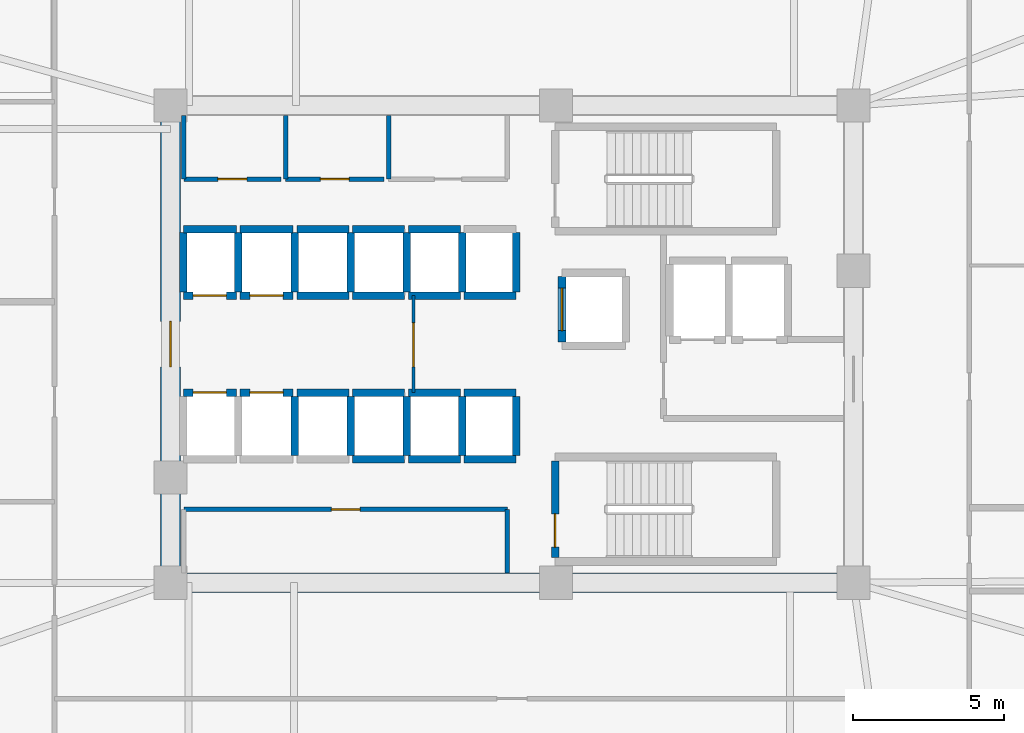
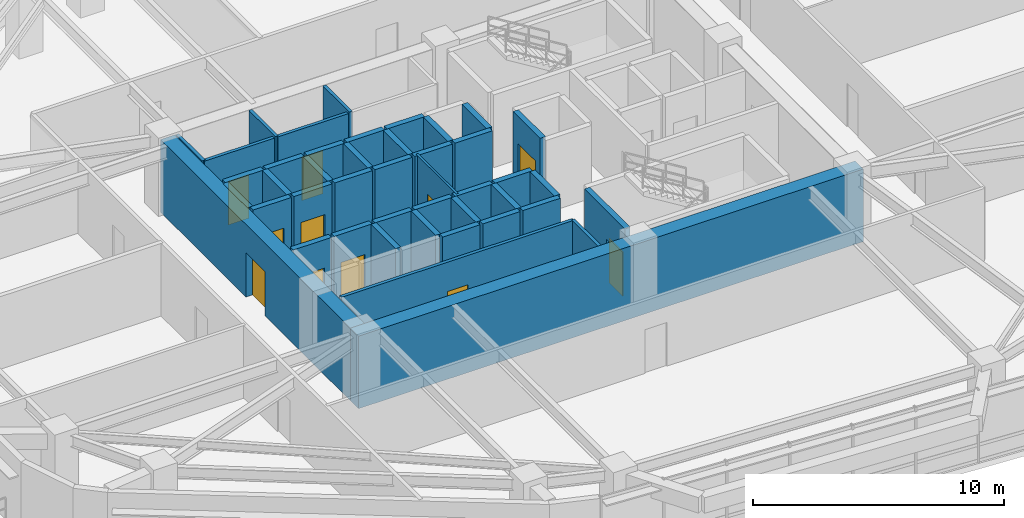
# One storey, part 7 of 12: 44 walls, 11 doors, 11 openings.
"""IFC4 building model written with IfcOpenShell, lengths in metres."""

from ifc_helpers import new_model, si_unit, direction, frame, frame_2d, origin, place, context, subcontext, project, spatial, rectangle, extrude, material, layer, layer_set, type_object, element, fill, save


model = new_model("IFC4")

# Units and contexts
model_context = context("Model", 3, precision=1e-05, world=origin(), true_north=direction((0.0, 1.0)))
body_context = subcontext(model_context, "Body", "Model", "MODEL_VIEW")
ifc_project = project(units=[si_unit("LENGTHUNIT", "METRE"), si_unit("AREAUNIT", "SQUARE_METRE"), si_unit("VOLUMEUNIT", "CUBIC_METRE"), si_unit("PLANEANGLEUNIT", "RADIAN"), si_unit("MASSUNIT", "GRAM", prefix="KILO")], contexts=[model_context])

# Site, building, storey
site_placement = place(None, origin())
site = spatial("IfcSite", under=ifc_project, at=site_placement, CompositionType="ELEMENT")
building_placement = place(site_placement, origin())
building = spatial("IfcBuilding", under=site, at=building_placement, Name="Zulverin Broadcast Headquarters", CompositionType="ELEMENT")
storey_placement = place(building_placement, frame((0.0, 0.0, 93.39990234375)))
storey = spatial("IfcBuildingStorey", under=building, at=storey_placement, Name="L23", CompositionType="ELEMENT", Elevation=93.39990234375)

# Wall
ifc_material_1 = material(Name="Concrete C60/75", Category="concrete")
ifc_layer_1 = layer(ifc_material_1, 0.64990234375, Name="Concrete C60/75", Category="concrete")
ifc_layer_set_1 = layer_set([ifc_layer_1], Name="Concrete C60/75")
wall_type_1 = type_object("IfcWallType", Name="WL-CORE-650", PredefinedType="SHEAR", material=ifc_layer_set_1)
wall_1_placement = place(storey_placement, frame((25.39990234375, 17.324951171875, 0.0), z_axis=(0.0, 0.0, 1.0), x_axis=(1.0, 0.0, 0.0)))
element("IfcWall", 1, at=wall_1_placement, inside=storey, type_object=wall_type_1, Name="L23 Core South Shear Wall", PredefinedType="SHEAR", context=body_context, shape_type="SweptSolid", body=[
    extrude(rectangle(XDim=23.2001953125, YDim=0.64990234375, at=frame_2d((11.60009765625, 0.0))), origin(), (0.0, 0.0, 1.0), 3.525146484375),
])

# Wall, opening, door
wall_2_placement = place(storey_placement, frame((25.72509765625, 17.64990234375, 0.0), z_axis=(0.0, 0.0, 1.0), x_axis=(0.0, 1.0, 0.0)))
wall_2 = element("IfcWall", 2, at=wall_2_placement, inside=storey, type_object=wall_type_1, Name="L23 Core West Shear Wall", PredefinedType="SHEAR", context=body_context, shape_type="SweptSolid", body=[
    extrude(rectangle(XDim=15.10009765625, YDim=0.64990234375, at=frame_2d((7.550048828125, 0.0))), origin(), (0.0, 0.0, 1.0), 3.525146484375),
])
opening_1_placement = place(wall_2_placement, frame((6.800048828125, 0.0, 0.0)))
opening_1 = element("IfcOpeningElement", 3, at=opening_1_placement, cuts=wall_2, Name="Opening D-L23-CW1", PredefinedType="OPENING", context=body_context, shape_type="SweptSolid", body=[
    extrude(rectangle(XDim=1.5, YDim=2.14990234375, at=frame_2d((0.75, 1.074951171875))), frame((0.0, 0.3349609375, 0.0), z_axis=(0.0, -1.0, 0.0), x_axis=(1.0, 0.0, 0.0)), (0.0, 0.0, 1.0), 0.669921875),
])
ifc_material_2 = material(Name="Fire-rated glazed steel frame", Category="steel")
door_type_1 = type_object("IfcDoorType", Name="DR-COR-1500", OperationType="DOUBLE_DOOR_SINGLE_SWING", PredefinedType="DOOR", material=ifc_material_2)
door_1_placement = place(opening_1_placement, origin())
door_1 = element("IfcDoor", 4, at=door_1_placement, inside=storey, type_object=door_type_1, Name="L23 Central Lift Lobby West Portal Door", OperationType="DOUBLE_DOOR_SINGLE_SWING", OverallHeight=2.14990234375, OverallWidth=1.5, PredefinedType="DOOR", context=body_context, shape_type="SweptSolid", body=[
    extrude(rectangle(XDim=1.5, YDim=2.14990234375, at=frame_2d((0.75, 1.074951171875))), frame((0.0, 0.02490234375, 0.0), z_axis=(0.0, -1.0, 0.0), x_axis=(1.0, 0.0, 0.0)), (0.0, 0.0, 1.0), 0.050048828125),
])
fill(opening_1, door_1)

ifc_material_3 = material(Name="Fire-rated acoustic laminated glass screen", Category="glass")
ifc_layer_2 = layer(ifc_material_3, 0.10009765625, Name="Fire-rated acoustic laminated glass screen", Category="glass")
ifc_layer_set_2 = layer_set([ifc_layer_2], Name="Fire-rated acoustic laminated glass screen")
wall_type_2 = type_object("IfcWallType", Name="WL-GLAZ-100", PredefinedType="PARTITIONING", material=ifc_layer_set_2)
wall_3_placement = place(storey_placement, frame((33.75, 23.60009765625, 0.0), z_axis=(0.0, 0.0, 1.0), x_axis=(0.0, 1.0, 0.0)))
wall_3 = element("IfcWall", 5, at=wall_3_placement, inside=storey, type_object=wall_type_2, Name="L23 Core Lobby Acoustic Screen", PredefinedType="PARTITIONING", context=body_context, shape_type="SweptSolid", body=[
    extrude(rectangle(XDim=3.199951171875, YDim=0.10009765625, at=frame_2d((1.60009765625, 0.0))), origin(), (0.0, 0.0, 1.0), 3.525146484375),
])
opening_2_placement = place(wall_3_placement, frame((0.85009765625, 0.0, 0.0)))
opening_2 = element("IfcOpeningElement", 6, at=opening_2_placement, cuts=wall_3, Name="Opening D-L23-CL1", PredefinedType="OPENING", context=body_context, shape_type="SweptSolid", body=[
    extrude(rectangle(XDim=1.449951171875, YDim=2.1201171875, at=frame_2d((0.72509765625, 1.06005859375))), frame((0.0, 0.06005859375, 0.0), z_axis=(0.0, -1.0, 0.0), x_axis=(1.0, 0.0, 0.0)), (0.0, 0.0, 1.0), 0.1201171875),
])
ifc_material_4 = material(Name="Fire-rated acoustic glazed double leaf", Category="glass")
door_type_2 = type_object("IfcDoorType", Name="DR-GLZ-1450", OperationType="DOUBLE_DOOR_SINGLE_SWING", PredefinedType="DOOR", material=ifc_material_4)
door_2_placement = place(opening_2_placement, origin())
door_2 = element("IfcDoor", 7, at=door_2_placement, inside=storey, type_object=door_type_2, Name="L23 Core Lobby Vestibule Door", OperationType="DOUBLE_DOOR_SINGLE_SWING", OverallHeight=2.1201171875, OverallWidth=1.449951171875, PredefinedType="DOOR", context=body_context, shape_type="SweptSolid", body=[
    extrude(rectangle(XDim=1.449951171875, YDim=2.1201171875, at=frame_2d((0.72509765625, 1.06005859375))), frame((0.0, 0.02490234375, 0.0), z_axis=(0.0, -1.0, 0.0), x_axis=(1.0, 0.0, 0.0)), (0.0, 0.0, 1.0), 0.050048828125),
])
fill(opening_2, door_2)

ifc_material_5 = material(Name="Fire-rated gypsum stud partition", Category="gypsum")
ifc_layer_3 = layer(ifc_material_5, 0.14990234375, Name="Fire-rated gypsum stud partition", Category="gypsum")
ifc_layer_set_3 = layer_set([ifc_layer_3], Name="Fire-rated gypsum stud partition")
wall_type_3 = type_object("IfcWallType", Name="WL-PART-150", PredefinedType="PARTITIONING", material=ifc_layer_set_3)
wall_4_placement = place(storey_placement, frame((26.169921875, 30.64990234375, 0.0), z_axis=(0.0, 0.0, 1.0), x_axis=(1.0, 0.0, 0.0)))
wall_4 = element("IfcWall", 8, at=wall_4_placement, inside=storey, type_object=wall_type_3, Name="L23 Core Accessible WC Front Wall", PredefinedType="PARTITIONING", context=body_context, shape_type="SweptSolid", body=[
    extrude(rectangle(XDim=3.2001953125, YDim=0.14990234375, at=frame_2d((1.60009765625, 0.0))), origin(), (0.0, 0.0, 1.0), 3.525146484375),
])
opening_3_placement = place(wall_4_placement, frame((1.125, 0.0, 0.0)))
opening_3 = element("IfcOpeningElement", 9, at=opening_3_placement, cuts=wall_4, Name="Opening D-L23-NC1", PredefinedType="OPENING", context=body_context, shape_type="SweptSolid", body=[
    extrude(rectangle(XDim=0.949951171875, YDim=2.10009765625, at=frame_2d((0.47509765625, 1.050048828125))), frame((0.0, 0.0849609375, 0.0), z_axis=(0.0, -1.0, 0.0), x_axis=(1.0, 0.0, 0.0)), (0.0, 0.0, 1.0), 0.169921875),
])
ifc_material_6 = material(Name="Fire-rated moisture-resistant laminate leaf", Category="wood")
door_type_3 = type_object("IfcDoorType", Name="DR-WC-950", OperationType="SINGLE_SWING_LEFT", PredefinedType="DOOR", material=ifc_material_6)
door_3_placement = place(opening_3_placement, origin())
door_3 = element("IfcDoor", 10, at=door_3_placement, inside=storey, type_object=door_type_3, Name="L23 Accessible WC Door", OperationType="SINGLE_SWING_LEFT", OverallHeight=2.10009765625, OverallWidth=0.949951171875, PredefinedType="DOOR", context=body_context, shape_type="SweptSolid", body=[
    extrude(rectangle(XDim=0.949951171875, YDim=2.10009765625, at=frame_2d((0.47509765625, 1.050048828125))), frame((0.0, 0.02490234375, 0.0), z_axis=(0.0, -1.0, 0.0), x_axis=(1.0, 0.0, 0.0)), (0.0, 0.0, 1.0), 0.050048828125),
])
fill(opening_3, door_3)

# Wall
wall_5_placement = place(storey_placement, frame((26.169921875, 30.64990234375, 0.0), z_axis=(0.0, 0.0, 1.0), x_axis=(0.0, 1.0, 0.0)))
element("IfcWall", 11, at=wall_5_placement, inside=storey, type_object=wall_type_3, Name="L23 Core Accessible WC West Wall", PredefinedType="PARTITIONING", context=body_context, shape_type="SweptSolid", body=[
    extrude(rectangle(XDim=2.10009765625, YDim=0.14990234375, at=frame_2d((1.050048828125, 0.0))), origin(), (0.0, 0.0, 1.0), 3.525146484375),
])

# Wall, opening, door
wall_6_placement = place(storey_placement, frame((29.530029296875, 30.64990234375, 0.0), z_axis=(0.0, 0.0, 1.0), x_axis=(1.0, 0.0, 0.0)))
wall_6 = element("IfcWall", 12, at=wall_6_placement, inside=storey, type_object=wall_type_3, Name="L23 Core Male WC Front Wall", PredefinedType="PARTITIONING", context=body_context, shape_type="SweptSolid", body=[
    extrude(rectangle(XDim=3.239990234375, YDim=0.14990234375, at=frame_2d((1.6201171875, 0.0))), origin(), (0.0, 0.0, 1.0), 3.525146484375),
])
opening_4_placement = place(wall_6_placement, frame((1.14501953125, 0.0, 0.0)))
opening_4 = element("IfcOpeningElement", 13, at=opening_4_placement, cuts=wall_6, Name="Opening D-L23-NC2", PredefinedType="OPENING", context=body_context, shape_type="SweptSolid", body=[
    extrude(rectangle(XDim=0.949951171875, YDim=2.10009765625, at=frame_2d((0.47509765625, 1.050048828125))), frame((0.0, 0.0849609375, 0.0), z_axis=(0.0, -1.0, 0.0), x_axis=(1.0, 0.0, 0.0)), (0.0, 0.0, 1.0), 0.169921875),
])
door_4_placement = place(opening_4_placement, origin())
door_4 = element("IfcDoor", 14, at=door_4_placement, inside=storey, type_object=door_type_3, Name="L23 Male WC Door", OperationType="SINGLE_SWING_RIGHT", OverallHeight=2.10009765625, OverallWidth=0.949951171875, PredefinedType="DOOR", context=body_context, shape_type="SweptSolid", body=[
    extrude(rectangle(XDim=0.949951171875, YDim=2.10009765625, at=frame_2d((0.47509765625, 1.050048828125))), frame((0.0, 0.02490234375, 0.0), z_axis=(0.0, -1.0, 0.0), x_axis=(1.0, 0.0, 0.0)), (0.0, 0.0, 1.0), 0.050048828125),
])
fill(opening_4, door_4)

# Walls
for number, where, z_axis, x_axis, name in (
    (15, (29.530029296875, 30.64990234375, 0.0), (0.0, 0.0, 1.0), (0.0, 1.0, 0.0), "L23 Core Male WC West Wall"),
    (16, (32.929931640625, 30.64990234375, 0.0), (0.0, 0.0, 1.0), (0.0, 1.0, 0.0), "L23 Core Electrical Switch Riser West Wall"),
):
    element("IfcWall", number, at=place(storey_placement, frame(where, z_axis=z_axis, x_axis=x_axis)), inside=storey, type_object=wall_type_3, Name=name, PredefinedType="PARTITIONING", context=body_context, shape_type="SweptSolid", body=[
        extrude(rectangle(XDim=2.10009765625, YDim=0.14990234375, at=frame_2d((1.050048828125, 0.0))), origin(), (0.0, 0.0, 1.0), 3.525146484375),
    ])

# Wall, opening, door
wall_7_placement = place(storey_placement, frame((26.169921875, 19.75, 0.0), z_axis=(0.0, 0.0, 1.0), x_axis=(1.0, 0.0, 0.0)))
wall_7 = element("IfcWall", 17, at=wall_7_placement, inside=storey, type_object=wall_type_3, Name="L23 Core Female WC & Facilities Room Front Wall", PredefinedType="PARTITIONING", context=body_context, shape_type="SweptSolid", body=[
    extrude(rectangle(XDim=10.68017578125, YDim=0.14990234375, at=frame_2d((5.340087890625, 0.0))), origin(), (0.0, 0.0, 1.0), 3.525146484375),
])
opening_5_placement = place(wall_7_placement, frame((4.864990234375, 0.0, 0.0)))
opening_5 = element("IfcOpeningElement", 18, at=opening_5_placement, cuts=wall_7, Name="Opening D-L23-SC1", PredefinedType="OPENING", context=body_context, shape_type="SweptSolid", body=[
    extrude(rectangle(XDim=0.949951171875, YDim=2.10009765625, at=frame_2d((0.47509765625, 1.050048828125))), frame((0.0, 0.0849609375, 0.0), z_axis=(0.0, -1.0, 0.0), x_axis=(1.0, 0.0, 0.0)), (0.0, 0.0, 1.0), 0.169921875),
])
door_5_placement = place(opening_5_placement, origin())
door_5 = element("IfcDoor", 19, at=door_5_placement, inside=storey, type_object=door_type_3, Name="L23 Female WC & Facilities Room Door", OperationType="SINGLE_SWING_RIGHT", OverallHeight=2.10009765625, OverallWidth=0.949951171875, PredefinedType="DOOR", context=body_context, shape_type="SweptSolid", body=[
    extrude(rectangle(XDim=0.949951171875, YDim=2.10009765625, at=frame_2d((0.47509765625, 1.050048828125))), frame((0.0, 0.02490234375, 0.0), z_axis=(0.0, -1.0, 0.0), x_axis=(1.0, 0.0, 0.0)), (0.0, 0.0, 1.0), 0.050048828125),
])
fill(opening_5, door_5)

# Wall
wall_8_placement = place(storey_placement, frame((36.85009765625, 17.64990234375, 0.0), z_axis=(0.0, 0.0, 1.0), x_axis=(0.0, 1.0, 0.0)))
element("IfcWall", 20, at=wall_8_placement, inside=storey, type_object=wall_type_3, Name="L23 Core Female WC & Facilities Room East Wall", PredefinedType="PARTITIONING", context=body_context, shape_type="SweptSolid", body=[
    extrude(rectangle(XDim=2.10009765625, YDim=0.14990234375, at=frame_2d((1.050048828125, 0.0))), origin(), (0.0, 0.0, 1.0), 3.525146484375),
])

# Wall, opening, door
ifc_material_7 = material(Name="Concrete C50/60", Category="concrete")
ifc_layer_4 = layer(ifc_material_7, 0.25, Name="Concrete C50/60", Category="concrete")
ifc_layer_set_4 = layer_set([ifc_layer_4], Name="Concrete C50/60")
wall_type_4 = type_object("IfcWallType", Name="WL-SHAFT-250", PredefinedType="SHEAR", material=ifc_layer_set_4)
wall_9_placement = place(storey_placement, frame((38.425048828125, 18.14990234375, 0.0), z_axis=(0.0, 0.0, 1.0), x_axis=(0.0, 1.0, 0.0)))
wall_9 = element("IfcWall", 21, at=wall_9_placement, inside=storey, type_object=wall_type_4, Name="L23 ST-2 Enclosure Wall W", PredefinedType="SHEAR", context=body_context, shape_type="SweptSolid", body=[
    extrude(rectangle(XDim=3.2001953125, YDim=0.25, at=frame_2d((1.60009765625, 0.0))), origin(), (0.0, 0.0, 1.0), 3.525146484375),
])
opening_6_placement = place(wall_9_placement, frame((0.35009765625, 0.0, 0.0)))
opening_6 = element("IfcOpeningElement", 22, at=opening_6_placement, cuts=wall_9, Name="Opening D-L23-ST-2", PredefinedType="OPENING", context=body_context, shape_type="SweptSolid", body=[
    extrude(rectangle(XDim=1.10009765625, YDim=2.14990234375, at=frame_2d((0.550048828125, 1.074951171875))), frame((0.0, 0.135009765625, 0.0), z_axis=(0.0, -1.0, 0.0), x_axis=(1.0, 0.0, 0.0)), (0.0, 0.0, 1.0), 0.27001953125),
])
ifc_material_8 = material(Name="Fire-rated steel leaf and frame", Category="steel")
door_type_4 = type_object("IfcDoorType", Name="DR-STAIR-1100", OperationType="SINGLE_SWING_LEFT", PredefinedType="DOOR", material=ifc_material_8)
door_6_placement = place(opening_6_placement, origin())
door_6 = element("IfcDoor", 23, at=door_6_placement, inside=storey, type_object=door_type_4, Name="L23 Exit Stair ST-2 Fire Door", OperationType="SINGLE_SWING_RIGHT", OverallHeight=2.14990234375, OverallWidth=1.10009765625, PredefinedType="DOOR", context=body_context, shape_type="SweptSolid", body=[
    extrude(rectangle(XDim=1.10009765625, YDim=2.14990234375, at=frame_2d((0.550048828125, 1.074951171875))), frame((0.0, 0.02490234375, 0.0), z_axis=(0.0, -1.0, 0.0), x_axis=(1.0, 0.0, 0.0)), (0.0, 0.0, 1.0), 0.050048828125),
])
fill(opening_6, door_6)

wall_10_placement = place(storey_placement, frame((26.14990234375, 26.800048828125, 0.0), z_axis=(0.0, 0.0, 1.0), x_axis=(1.0, 0.0, 0.0)))
wall_10 = element("IfcWall", 24, at=wall_10_placement, inside=storey, type_object=wall_type_4, Name="L23 Lift PL-L1 Shaft Wall S", PredefinedType="SHEAR", context=body_context, shape_type="SweptSolid", body=[
    extrude(rectangle(XDim=1.75, YDim=0.25, at=frame_2d((0.875, 0.0))), origin(), (0.0, 0.0, 1.0), 3.525146484375),
])
opening_7_placement = place(wall_10_placement, frame((0.324951171875, 0.0, 0.0)))
opening_7 = element("IfcOpeningElement", 25, at=opening_7_placement, cuts=wall_10, Name="Opening LD-PL-L1-L23", PredefinedType="OPENING", context=body_context, shape_type="SweptSolid", body=[
    extrude(rectangle(XDim=1.10009765625, YDim=2.14990234375, at=frame_2d((0.550048828125, 1.074951171875))), frame((0.0, 0.135009765625, 0.0), z_axis=(0.0, -1.0, 0.0), x_axis=(1.0, 0.0, 0.0)), (0.0, 0.0, 1.0), 0.27001953125),
])
ifc_material_9 = material(Name="Brushed stainless steel landing", Category="steel")
door_type_5 = type_object("IfcDoorType", Name="LD-PASS-1100", OperationType="DOUBLE_DOOR_SLIDING", PredefinedType="DOOR", material=ifc_material_9)
door_7_placement = place(opening_7_placement, origin())
door_7 = element("IfcDoor", 26, at=door_7_placement, inside=storey, type_object=door_type_5, Name="L23 Lift PL-L1 Sliding Landing Door", OperationType="DOUBLE_DOOR_SLIDING", OverallHeight=2.14990234375, OverallWidth=1.10009765625, PredefinedType="DOOR", context=body_context, shape_type="SweptSolid", body=[
    extrude(rectangle(XDim=1.10009765625, YDim=2.14990234375, at=frame_2d((0.550048828125, 1.074951171875))), frame((0.0, 0.02490234375, 0.0), z_axis=(0.0, -1.0, 0.0), x_axis=(1.0, 0.0, 0.0)), (0.0, 0.0, 1.0), 0.050048828125),
])
fill(opening_7, door_7)

# Walls
wall_11_placement = place(storey_placement, frame((26.14990234375, 29.0, 0.0), z_axis=(0.0, 0.0, 1.0), x_axis=(1.0, 0.0, 0.0)))
element("IfcWall", 27, at=wall_11_placement, inside=storey, type_object=wall_type_4, Name="L23 Lift PL-L1 Shaft Wall N", PredefinedType="SHEAR", context=body_context, shape_type="SweptSolid", body=[
    extrude(rectangle(XDim=1.75, YDim=0.25, at=frame_2d((0.875, 0.0))), origin(), (0.0, 0.0, 1.0), 3.525146484375),
])
for number, where, z_axis, x_axis, name in (
    (28, (26.14990234375, 26.919921875, 0.0), (0.0, 0.0, 1.0), (0.0, 1.0, 0.0), "L23 Lift PL-L1 Shaft Wall W"),
    (29, (27.9599609375, 26.919921875, 0.0), (0.0, 0.0, 1.0), (0.0, 1.0, 0.0), "L23 Lift PL-L1 Shaft Wall E"),
):
    element("IfcWall", number, at=place(storey_placement, frame(where, z_axis=z_axis, x_axis=x_axis)), inside=storey, type_object=wall_type_4, Name=name, PredefinedType="SHEAR", context=body_context, shape_type="SweptSolid", body=[
        extrude(rectangle(XDim=1.9599609375, YDim=0.25, at=frame_2d((0.97998046875, 0.0))), origin(), (0.0, 0.0, 1.0), 3.525146484375),
    ])

# Wall, opening, door
wall_12_placement = place(storey_placement, frame((28.02001953125, 26.800048828125, 0.0), z_axis=(0.0, 0.0, 1.0), x_axis=(1.0, 0.0, 0.0)))
wall_12 = element("IfcWall", 30, at=wall_12_placement, inside=storey, type_object=wall_type_4, Name="L23 Lift PL-L2 Shaft Wall S", PredefinedType="SHEAR", context=body_context, shape_type="SweptSolid", body=[
    extrude(rectangle(XDim=1.75, YDim=0.25, at=frame_2d((0.875, 0.0))), origin(), (0.0, 0.0, 1.0), 3.525146484375),
])
opening_8_placement = place(wall_12_placement, frame((0.324951171875, 0.0, 0.0)))
opening_8 = element("IfcOpeningElement", 31, at=opening_8_placement, cuts=wall_12, Name="Opening LD-PL-L2-L23", PredefinedType="OPENING", context=body_context, shape_type="SweptSolid", body=[
    extrude(rectangle(XDim=1.10009765625, YDim=2.14990234375, at=frame_2d((0.550048828125, 1.074951171875))), frame((0.0, 0.135009765625, 0.0), z_axis=(0.0, -1.0, 0.0), x_axis=(1.0, 0.0, 0.0)), (0.0, 0.0, 1.0), 0.27001953125),
])
door_8_placement = place(opening_8_placement, origin())
door_8 = element("IfcDoor", 32, at=door_8_placement, inside=storey, type_object=door_type_5, Name="L23 Lift PL-L2 Sliding Landing Door", OperationType="DOUBLE_DOOR_SLIDING", OverallHeight=2.14990234375, OverallWidth=1.10009765625, PredefinedType="DOOR", context=body_context, shape_type="SweptSolid", body=[
    extrude(rectangle(XDim=1.10009765625, YDim=2.14990234375, at=frame_2d((0.550048828125, 1.074951171875))), frame((0.0, 0.02490234375, 0.0), z_axis=(0.0, -1.0, 0.0), x_axis=(1.0, 0.0, 0.0)), (0.0, 0.0, 1.0), 0.050048828125),
])
fill(opening_8, door_8)

# Walls
wall_13_placement = place(storey_placement, frame((28.02001953125, 29.0, 0.0), z_axis=(0.0, 0.0, 1.0), x_axis=(1.0, 0.0, 0.0)))
element("IfcWall", 33, at=wall_13_placement, inside=storey, type_object=wall_type_4, Name="L23 Lift PL-L2 Shaft Wall N", PredefinedType="SHEAR", context=body_context, shape_type="SweptSolid", body=[
    extrude(rectangle(XDim=1.75, YDim=0.25, at=frame_2d((0.875, 0.0))), origin(), (0.0, 0.0, 1.0), 3.525146484375),
])
wall_14_placement = place(storey_placement, frame((29.8349609375, 26.919921875, 0.0), z_axis=(0.0, 0.0, 1.0), x_axis=(0.0, 1.0, 0.0)))
element("IfcWall", 34, at=wall_14_placement, inside=storey, type_object=wall_type_4, Name="L23 Lift PL-L2 Shaft Wall E", PredefinedType="SHEAR", context=body_context, shape_type="SweptSolid", body=[
    extrude(rectangle(XDim=1.9599609375, YDim=0.25, at=frame_2d((0.97998046875, 0.0))), origin(), (0.0, 0.0, 1.0), 3.525146484375),
])

# Wall, opening, door
wall_15_placement = place(storey_placement, frame((26.14990234375, 23.60009765625, 0.0), z_axis=(0.0, 0.0, 1.0), x_axis=(1.0, 0.0, 0.0)))
wall_15 = element("IfcWall", 35, at=wall_15_placement, inside=storey, type_object=wall_type_4, Name="L23 Lift PL-L3 Shaft Wall N", PredefinedType="SHEAR", context=body_context, shape_type="SweptSolid", body=[
    extrude(rectangle(XDim=1.75, YDim=0.25, at=frame_2d((0.875, 0.0))), origin(), (0.0, 0.0, 1.0), 3.525146484375),
])
opening_9_placement = place(wall_15_placement, frame((0.324951171875, 0.0, 0.0)))
opening_9 = element("IfcOpeningElement", 36, at=opening_9_placement, cuts=wall_15, Name="Opening LD-PL-L3-L23", PredefinedType="OPENING", context=body_context, shape_type="SweptSolid", body=[
    extrude(rectangle(XDim=1.10009765625, YDim=2.14990234375, at=frame_2d((0.550048828125, 1.074951171875))), frame((0.0, 0.135009765625, 0.0), z_axis=(0.0, -1.0, 0.0), x_axis=(1.0, 0.0, 0.0)), (0.0, 0.0, 1.0), 0.27001953125),
])
door_9_placement = place(opening_9_placement, origin())
door_9 = element("IfcDoor", 37, at=door_9_placement, inside=storey, type_object=door_type_5, Name="L23 Lift PL-L3 Sliding Landing Door", OperationType="DOUBLE_DOOR_SLIDING", OverallHeight=2.14990234375, OverallWidth=1.10009765625, PredefinedType="DOOR", context=body_context, shape_type="SweptSolid", body=[
    extrude(rectangle(XDim=1.10009765625, YDim=2.14990234375, at=frame_2d((0.550048828125, 1.074951171875))), frame((0.0, 0.02490234375, 0.0), z_axis=(0.0, -1.0, 0.0), x_axis=(1.0, 0.0, 0.0)), (0.0, 0.0, 1.0), 0.050048828125),
])
fill(opening_9, door_9)

wall_16_placement = place(storey_placement, frame((28.02001953125, 23.60009765625, 0.0), z_axis=(0.0, 0.0, 1.0), x_axis=(1.0, 0.0, 0.0)))
wall_16 = element("IfcWall", 38, at=wall_16_placement, inside=storey, type_object=wall_type_4, Name="L23 Lift PL-L4 Shaft Wall N", PredefinedType="SHEAR", context=body_context, shape_type="SweptSolid", body=[
    extrude(rectangle(XDim=1.75, YDim=0.25, at=frame_2d((0.875, 0.0))), origin(), (0.0, 0.0, 1.0), 3.525146484375),
])
opening_10_placement = place(wall_16_placement, frame((0.324951171875, 0.0, 0.0)))
opening_10 = element("IfcOpeningElement", 39, at=opening_10_placement, cuts=wall_16, Name="Opening LD-PL-L4-L23", PredefinedType="OPENING", context=body_context, shape_type="SweptSolid", body=[
    extrude(rectangle(XDim=1.10009765625, YDim=2.14990234375, at=frame_2d((0.550048828125, 1.074951171875))), frame((0.0, 0.135009765625, 0.0), z_axis=(0.0, -1.0, 0.0), x_axis=(1.0, 0.0, 0.0)), (0.0, 0.0, 1.0), 0.27001953125),
])
door_10_placement = place(opening_10_placement, origin())
door_10 = element("IfcDoor", 40, at=door_10_placement, inside=storey, type_object=door_type_5, Name="L23 Lift PL-L4 Sliding Landing Door", OperationType="DOUBLE_DOOR_SLIDING", OverallHeight=2.14990234375, OverallWidth=1.10009765625, PredefinedType="DOOR", context=body_context, shape_type="SweptSolid", body=[
    extrude(rectangle(XDim=1.10009765625, YDim=2.14990234375, at=frame_2d((0.550048828125, 1.074951171875))), frame((0.0, 0.02490234375, 0.0), z_axis=(0.0, -1.0, 0.0), x_axis=(1.0, 0.0, 0.0)), (0.0, 0.0, 1.0), 0.050048828125),
])
fill(opening_10, door_10)

# Walls
wall_17_placement = place(storey_placement, frame((29.8349609375, 21.52001953125, 0.0), z_axis=(0.0, 0.0, 1.0), x_axis=(0.0, 1.0, 0.0)))
element("IfcWall", 41, at=wall_17_placement, inside=storey, type_object=wall_type_4, Name="L23 Lift PL-L4 Shaft Wall E", PredefinedType="SHEAR", context=body_context, shape_type="SweptSolid", body=[
    extrude(rectangle(XDim=1.9599609375, YDim=0.25, at=frame_2d((0.97998046875, 0.0))), origin(), (0.0, 0.0, 1.0), 3.525146484375),
])
wall_18_placement = place(storey_placement, frame((29.89990234375, 23.60009765625, 0.0), z_axis=(0.0, 0.0, 1.0), x_axis=(1.0, 0.0, 0.0)))
element("IfcWall", 42, at=wall_18_placement, inside=storey, type_object=wall_type_4, Name="L23 Lift PL-M1 Shaft Wall N", PredefinedType="SHEAR", context=body_context, shape_type="SweptSolid", body=[
    extrude(rectangle(XDim=1.72021484375, YDim=0.25, at=frame_2d((0.860107421875, 0.0))), origin(), (0.0, 0.0, 1.0), 3.525146484375),
])
wall_19_placement = place(storey_placement, frame((31.679931640625, 21.52001953125, 0.0), z_axis=(0.0, 0.0, 1.0), x_axis=(0.0, 1.0, 0.0)))
element("IfcWall", 43, at=wall_19_placement, inside=storey, type_object=wall_type_4, Name="L23 Lift PL-M1 Shaft Wall E", PredefinedType="SHEAR", context=body_context, shape_type="SweptSolid", body=[
    extrude(rectangle(XDim=1.9599609375, YDim=0.25, at=frame_2d((0.97998046875, 0.0))), origin(), (0.0, 0.0, 1.0), 3.525146484375),
])
for number, where, z_axis, x_axis, name in (
    (44, (31.739990234375, 21.39990234375, 0.0), (0.0, 0.0, 1.0), (1.0, 0.0, 0.0), "L23 Lift PL-M2 Shaft Wall S"),
    (45, (31.739990234375, 23.60009765625, 0.0), (0.0, 0.0, 1.0), (1.0, 0.0, 0.0), "L23 Lift PL-M2 Shaft Wall N"),
):
    element("IfcWall", number, at=place(storey_placement, frame(where, z_axis=z_axis, x_axis=x_axis)), inside=storey, type_object=wall_type_4, Name=name, PredefinedType="SHEAR", context=body_context, shape_type="SweptSolid", body=[
        extrude(rectangle(XDim=1.719970703125, YDim=0.25, at=frame_2d((0.85986328125, 0.0))), origin(), (0.0, 0.0, 1.0), 3.525146484375),
    ])
wall_20_placement = place(storey_placement, frame((33.52001953125, 21.52001953125, 0.0), z_axis=(0.0, 0.0, 1.0), x_axis=(0.0, 1.0, 0.0)))
element("IfcWall", 46, at=wall_20_placement, inside=storey, type_object=wall_type_4, Name="L23 Lift PL-M2 Shaft Wall E", PredefinedType="SHEAR", context=body_context, shape_type="SweptSolid", body=[
    extrude(rectangle(XDim=1.9599609375, YDim=0.25, at=frame_2d((0.97998046875, 0.0))), origin(), (0.0, 0.0, 1.0), 3.525146484375),
])
for number, where, z_axis, x_axis, name in (
    (47, (33.580078125, 21.39990234375, 0.0), (0.0, 0.0, 1.0), (1.0, 0.0, 0.0), "L23 Lift PL-M3 Shaft Wall S"),
    (48, (33.580078125, 23.60009765625, 0.0), (0.0, 0.0, 1.0), (1.0, 0.0, 0.0), "L23 Lift PL-M3 Shaft Wall N"),
):
    element("IfcWall", number, at=place(storey_placement, frame(where, z_axis=z_axis, x_axis=x_axis)), inside=storey, type_object=wall_type_4, Name=name, PredefinedType="SHEAR", context=body_context, shape_type="SweptSolid", body=[
        extrude(rectangle(XDim=1.719970703125, YDim=0.25, at=frame_2d((0.85986328125, 0.0))), origin(), (0.0, 0.0, 1.0), 3.525146484375),
    ])
wall_21_placement = place(storey_placement, frame((35.360107421875, 21.52001953125, 0.0), z_axis=(0.0, 0.0, 1.0), x_axis=(0.0, 1.0, 0.0)))
element("IfcWall", 49, at=wall_21_placement, inside=storey, type_object=wall_type_4, Name="L23 Lift PL-M3 Shaft Wall E", PredefinedType="SHEAR", context=body_context, shape_type="SweptSolid", body=[
    extrude(rectangle(XDim=1.9599609375, YDim=0.25, at=frame_2d((0.97998046875, 0.0))), origin(), (0.0, 0.0, 1.0), 3.525146484375),
])
for number, where, z_axis, x_axis, name in (
    (50, (35.419921875, 21.39990234375, 0.0), (0.0, 0.0, 1.0), (1.0, 0.0, 0.0), "L23 Lift PL-M4 Shaft Wall S"),
    (51, (35.419921875, 23.60009765625, 0.0), (0.0, 0.0, 1.0), (1.0, 0.0, 0.0), "L23 Lift PL-M4 Shaft Wall N"),
):
    element("IfcWall", number, at=place(storey_placement, frame(where, z_axis=z_axis, x_axis=x_axis)), inside=storey, type_object=wall_type_4, Name=name, PredefinedType="SHEAR", context=body_context, shape_type="SweptSolid", body=[
        extrude(rectangle(XDim=1.719970703125, YDim=0.25, at=frame_2d((0.85986328125, 0.0))), origin(), (0.0, 0.0, 1.0), 3.525146484375),
    ])
wall_22_placement = place(storey_placement, frame((37.139892578125, 21.52001953125, 0.0), z_axis=(0.0, 0.0, 1.0), x_axis=(0.0, 1.0, 0.0)))
element("IfcWall", 52, at=wall_22_placement, inside=storey, type_object=wall_type_4, Name="L23 Lift PL-M4 Shaft Wall E", PredefinedType="SHEAR", context=body_context, shape_type="SweptSolid", body=[
    extrude(rectangle(XDim=1.9599609375, YDim=0.25, at=frame_2d((0.97998046875, 0.0))), origin(), (0.0, 0.0, 1.0), 3.525146484375),
])
for number, where, z_axis, x_axis, name in (
    (53, (29.89990234375, 26.800048828125, 0.0), (0.0, 0.0, 1.0), (1.0, 0.0, 0.0), "L23 Lift PL-H1 Shaft Wall S"),
    (54, (29.89990234375, 29.0, 0.0), (0.0, 0.0, 1.0), (1.0, 0.0, 0.0), "L23 Lift PL-H1 Shaft Wall N"),
):
    element("IfcWall", number, at=place(storey_placement, frame(where, z_axis=z_axis, x_axis=x_axis)), inside=storey, type_object=wall_type_4, Name=name, PredefinedType="SHEAR", context=body_context, shape_type="SweptSolid", body=[
        extrude(rectangle(XDim=1.72021484375, YDim=0.25, at=frame_2d((0.860107421875, 0.0))), origin(), (0.0, 0.0, 1.0), 3.525146484375),
    ])
wall_23_placement = place(storey_placement, frame((31.679931640625, 26.919921875, 0.0), z_axis=(0.0, 0.0, 1.0), x_axis=(0.0, 1.0, 0.0)))
element("IfcWall", 55, at=wall_23_placement, inside=storey, type_object=wall_type_4, Name="L23 Lift PL-H1 Shaft Wall E", PredefinedType="SHEAR", context=body_context, shape_type="SweptSolid", body=[
    extrude(rectangle(XDim=1.9599609375, YDim=0.25, at=frame_2d((0.97998046875, 0.0))), origin(), (0.0, 0.0, 1.0), 3.525146484375),
])
for number, where, z_axis, x_axis, name in (
    (56, (31.739990234375, 26.800048828125, 0.0), (0.0, 0.0, 1.0), (1.0, 0.0, 0.0), "L23 Lift PL-H2 Shaft Wall S"),
    (57, (31.739990234375, 29.0, 0.0), (0.0, 0.0, 1.0), (1.0, 0.0, 0.0), "L23 Lift PL-H2 Shaft Wall N"),
):
    element("IfcWall", number, at=place(storey_placement, frame(where, z_axis=z_axis, x_axis=x_axis)), inside=storey, type_object=wall_type_4, Name=name, PredefinedType="SHEAR", context=body_context, shape_type="SweptSolid", body=[
        extrude(rectangle(XDim=1.719970703125, YDim=0.25, at=frame_2d((0.85986328125, 0.0))), origin(), (0.0, 0.0, 1.0), 3.525146484375),
    ])
wall_24_placement = place(storey_placement, frame((33.52001953125, 26.919921875, 0.0), z_axis=(0.0, 0.0, 1.0), x_axis=(0.0, 1.0, 0.0)))
element("IfcWall", 58, at=wall_24_placement, inside=storey, type_object=wall_type_4, Name="L23 Lift PL-H2 Shaft Wall E", PredefinedType="SHEAR", context=body_context, shape_type="SweptSolid", body=[
    extrude(rectangle(XDim=1.9599609375, YDim=0.25, at=frame_2d((0.97998046875, 0.0))), origin(), (0.0, 0.0, 1.0), 3.525146484375),
])
for number, where, z_axis, x_axis, name in (
    (59, (33.580078125, 26.800048828125, 0.0), (0.0, 0.0, 1.0), (1.0, 0.0, 0.0), "L23 Lift PL-H3 Shaft Wall S"),
    (60, (33.580078125, 29.0, 0.0), (0.0, 0.0, 1.0), (1.0, 0.0, 0.0), "L23 Lift PL-H3 Shaft Wall N"),
):
    element("IfcWall", number, at=place(storey_placement, frame(where, z_axis=z_axis, x_axis=x_axis)), inside=storey, type_object=wall_type_4, Name=name, PredefinedType="SHEAR", context=body_context, shape_type="SweptSolid", body=[
        extrude(rectangle(XDim=1.719970703125, YDim=0.25, at=frame_2d((0.85986328125, 0.0))), origin(), (0.0, 0.0, 1.0), 3.525146484375),
    ])
wall_25_placement = place(storey_placement, frame((35.360107421875, 26.919921875, 0.0), z_axis=(0.0, 0.0, 1.0), x_axis=(0.0, 1.0, 0.0)))
element("IfcWall", 61, at=wall_25_placement, inside=storey, type_object=wall_type_4, Name="L23 Lift PL-H3 Shaft Wall E", PredefinedType="SHEAR", context=body_context, shape_type="SweptSolid", body=[
    extrude(rectangle(XDim=1.9599609375, YDim=0.25, at=frame_2d((0.97998046875, 0.0))), origin(), (0.0, 0.0, 1.0), 3.525146484375),
])
wall_26_placement = place(storey_placement, frame((35.419921875, 26.800048828125, 0.0), z_axis=(0.0, 0.0, 1.0), x_axis=(1.0, 0.0, 0.0)))
element("IfcWall", 62, at=wall_26_placement, inside=storey, type_object=wall_type_4, Name="L23 Lift PL-H4 Shaft Wall S", PredefinedType="SHEAR", context=body_context, shape_type="SweptSolid", body=[
    extrude(rectangle(XDim=1.719970703125, YDim=0.25, at=frame_2d((0.85986328125, 0.0))), origin(), (0.0, 0.0, 1.0), 3.525146484375),
])
wall_27_placement = place(storey_placement, frame((37.139892578125, 26.919921875, 0.0), z_axis=(0.0, 0.0, 1.0), x_axis=(0.0, 1.0, 0.0)))
element("IfcWall", 63, at=wall_27_placement, inside=storey, type_object=wall_type_4, Name="L23 Lift PL-H4 Shaft Wall E", PredefinedType="SHEAR", context=body_context, shape_type="SweptSolid", body=[
    extrude(rectangle(XDim=1.9599609375, YDim=0.25, at=frame_2d((0.97998046875, 0.0))), origin(), (0.0, 0.0, 1.0), 3.525146484375),
])

# Wall, opening, door
wall_28_placement = place(storey_placement, frame((38.64990234375, 25.27001953125, 0.0), z_axis=(0.0, 0.0, 1.0), x_axis=(0.0, 1.0, 0.0)))
wall_28 = element("IfcWall", 64, at=wall_28_placement, inside=storey, type_object=wall_type_4, Name="L23 Lift SVL-1 Shaft Wall W", PredefinedType="SHEAR", context=body_context, shape_type="SweptSolid", body=[
    extrude(rectangle(XDim=2.159912109375, YDim=0.25, at=frame_2d((1.080078125, 0.0))), origin(), (0.0, 0.0, 1.0), 3.525146484375),
])
opening_11_placement = place(wall_28_placement, frame((0.3798828125, 0.0, 0.0)))
opening_11 = element("IfcOpeningElement", 65, at=opening_11_placement, cuts=wall_28, Name="Opening LD-SVL-1-L23", PredefinedType="OPENING", context=body_context, shape_type="SweptSolid", body=[
    extrude(rectangle(XDim=1.39990234375, YDim=2.199951171875, at=frame_2d((0.699951171875, 1.10009765625))), frame((0.0, 0.135009765625, 0.0), z_axis=(0.0, -1.0, 0.0), x_axis=(1.0, 0.0, 0.0)), (0.0, 0.0, 1.0), 0.27001953125),
])
ifc_material_10 = material(Name="Heavy-duty stainless landing door", Category="steel")
door_type_6 = type_object("IfcDoorType", Name="LD-GOODS-1400", OperationType="DOUBLE_DOOR_SLIDING", PredefinedType="DOOR", material=ifc_material_10)
door_11_placement = place(opening_11_placement, origin())
door_11 = element("IfcDoor", 66, at=door_11_placement, inside=storey, type_object=door_type_6, Name="L23 Lift SVL-1 Sliding Landing Door", OperationType="DOUBLE_DOOR_SLIDING", OverallHeight=2.199951171875, OverallWidth=1.39990234375, PredefinedType="DOOR", context=body_context, shape_type="SweptSolid", body=[
    extrude(rectangle(XDim=1.39990234375, YDim=2.199951171875, at=frame_2d((0.699951171875, 1.10009765625))), frame((0.0, 0.02490234375, 0.0), z_axis=(0.0, -1.0, 0.0), x_axis=(1.0, 0.0, 0.0)), (0.0, 0.0, 1.0), 0.050048828125),
])
fill(opening_11, door_11)

save(model, "model.ifc")
